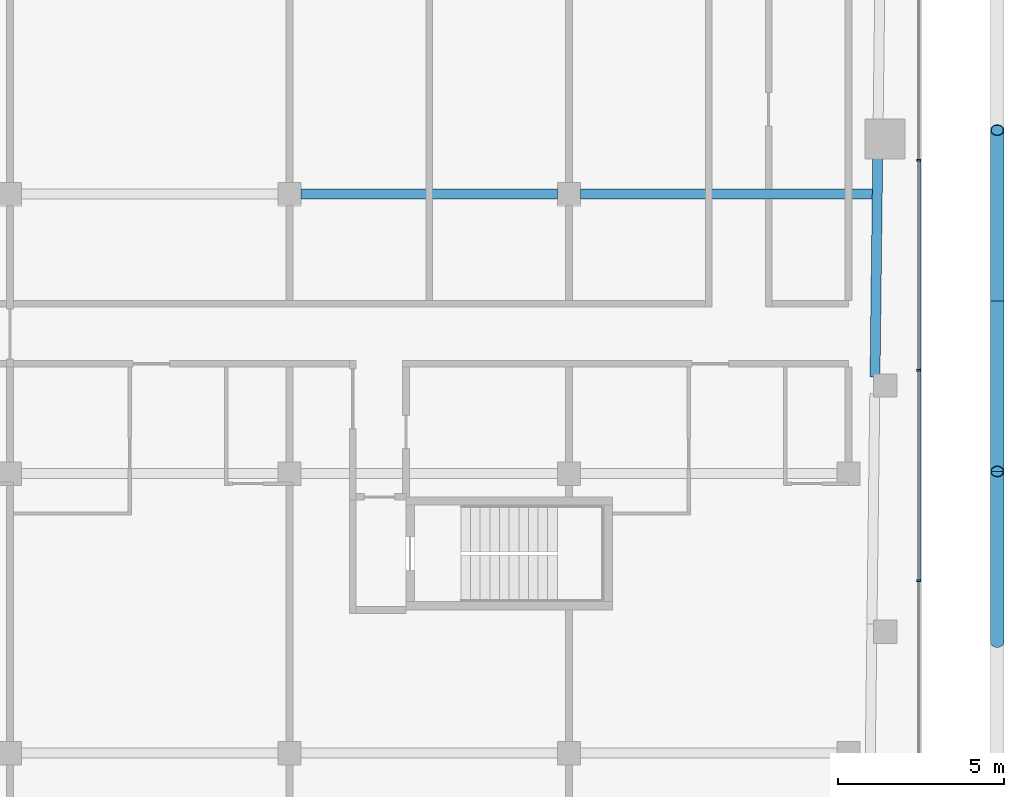
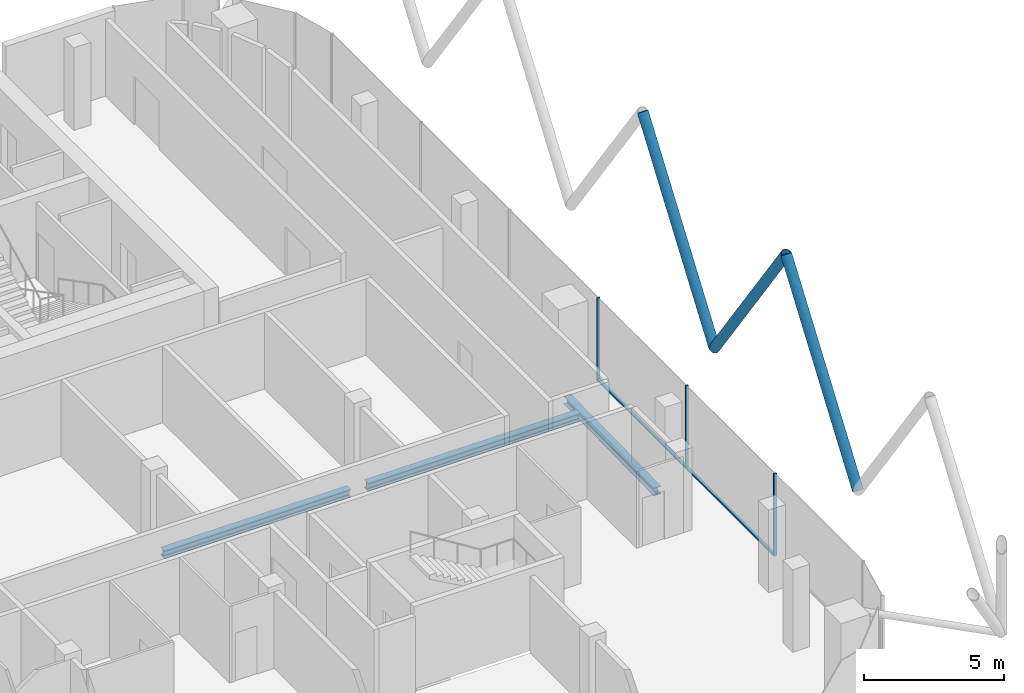
# One storey, part 7 of 27: 8 members, 3 beams, 1 element without a shape of its own.
"""IFC4 building model written with IfcOpenShell, lengths in metres."""

from ifc_helpers import new_model, si_unit, direction, frame, origin, origin_2d, place, context, subcontext, project, spatial, rectangle, hollow_circle, i_section, extrude, material, layer, layer_set, material_profile, profile_set, type_object, element, aggregate, save


model = new_model("IFC4")

# Units and contexts
model_context = context("Model", 3, precision=1e-05, world=origin(), true_north=direction((0.0, 1.0)))
body_context = subcontext(model_context, "Body", "Model", "MODEL_VIEW")
ifc_project = project(units=[si_unit("LENGTHUNIT", "METRE"), si_unit("AREAUNIT", "SQUARE_METRE"), si_unit("VOLUMEUNIT", "CUBIC_METRE"), si_unit("PLANEANGLEUNIT", "RADIAN"), si_unit("MASSUNIT", "GRAM", prefix="KILO")], contexts=[model_context])

# Site, building, storey
site_placement = place(None, origin())
site = spatial("IfcSite", under=ifc_project, at=site_placement, CompositionType="ELEMENT")
building_placement = place(site_placement, origin())
building = spatial("IfcBuilding", under=site, at=building_placement, Name="Marenta Gate Hotel Tower", CompositionType="ELEMENT")
storey_placement = place(building_placement, frame((0.0, 0.0, 270.5)))
storey = spatial("IfcBuildingStorey", under=building, at=storey_placement, Name="L62", CompositionType="ELEMENT", Elevation=270.5)

# Members
ifc_material_1 = material(Name="Steel S355J2W", Category="steel")
ifc_material_profile_1 = material_profile(ifc_material_1, hollow_circle(Radius=0.203125, WallThickness=0.02490234375, at=origin_2d()), Name="CHS 406.4x25")
ifc_profile_set_1 = profile_set([ifc_material_profile_1], Name="Steel S355J2W")
member_type_1 = type_object("IfcMemberType", Name="Diagrid diagonal Z4 CHS 406.4x25", PredefinedType="BRACE", material=ifc_profile_set_1)
for number, where, z_axis, x_axis, name in (
    (1, (25.469970703125, -11.60595703125, 3.139892578125), (0.0, 0.580218919795, 0.814460560808), (-1.0, 0.0, 0.0), "L62-DG-6"),
    (2, (25.469970703125, -11.60595703125, 3.139892578125), (0.0, -0.580218919795, 0.814460560808), (1.0, 0.0, 0.0), "L62-DG-7"),
    (3, (25.469970703125, -21.864501953125, 3.139892578125), (0.0, 0.580200600178, 0.81447361133), (-1.0, 0.0, 0.0), "L62-DG-8"),
):
    element("IfcMember", number, at=place(storey_placement, frame(where, z_axis=z_axis, x_axis=x_axis)), inside=storey, type_object=member_type_1, Name=name, PredefinedType="BRACE", context=body_context, shape_type="SweptSolid", body=[
        extrude(hollow_circle(Radius=0.203125, WallThickness=0.02490234375, at=origin_2d()), origin(), (0.0, 0.0, 1.0), 8.84033203125),
    ])

# Beams
ifc_material_2 = material(Name="Steel S355", Category="steel")
ifc_material_profile_2 = material_profile(ifc_material_2, i_section(OverallWidth=0.300048828125, OverallDepth=0.340087890625, WebThickness=0.011962890625, FlangeThickness=0.021484375, FilletRadius=0.027099609375, at=origin_2d()), Name="HEB 340")
ifc_profile_set_2 = profile_set([ifc_material_profile_2], Name="Steel S355")
beam_type_1 = type_object("IfcBeamType", Name="Edge beam HEB 340", PredefinedType="SPANDREL", material=ifc_profile_set_2)
beam_1_placement = place(storey_placement, frame((21.877197265625, -7.31005859375, -0.429931640625), z_axis=(-0.012334222436, -0.999923930585, 0.0), x_axis=(0.999923930585, -0.012334222436, 0.0)))
element("IfcBeam", 4, at=beam_1_placement, inside=storey, type_object=beam_type_1, Name="L62-EB-25", PredefinedType="SPANDREL", context=body_context, shape_type="SweptSolid", body=[
    extrude(i_section(OverallWidth=0.300048828125, OverallDepth=0.340087890625, WebThickness=0.011962890625, FlangeThickness=0.021484375, FilletRadius=0.027099609375, at=origin_2d()), origin(), (0.0, 0.0, 1.0), 6.59130859375),
])
ifc_material_3 = material(Name="Steel S355", Category="steel")
ifc_material_profile_3 = material_profile(ifc_material_3, i_section(OverallWidth=0.300048828125, OverallDepth=0.340087890625, WebThickness=0.011962890625, FlangeThickness=0.021484375, FilletRadius=0.027099609375, at=origin_2d()), Name="HEB 340")
ifc_profile_set_3 = profile_set([ifc_material_profile_3], Name="Steel S355")
beam_type_2 = type_object("IfcBeamType", Name="Girder HEB 340", PredefinedType="BEAM", material=ifc_profile_set_3)
beam_2_placement = place(storey_placement, frame((4.550048828125, -8.39990234375, -0.429931640625), z_axis=(1.0, 0.0, 0.0), x_axis=(0.0, 1.0, 0.0)))
element("IfcBeam", 5, at=beam_2_placement, inside=storey, type_object=beam_type_2, Name="L62-GD-14", PredefinedType="BEAM", context=body_context, shape_type="SweptSolid", body=[
    extrude(i_section(OverallWidth=0.300048828125, OverallDepth=0.340087890625, WebThickness=0.011962890625, FlangeThickness=0.021484375, FilletRadius=0.027099609375, at=origin_2d()), origin(), (0.0, 0.0, 1.0), 7.699951171875),
])
beam_3_placement = place(storey_placement, frame((12.949951171875, -8.39990234375, -0.429931640625), z_axis=(1.0, 0.0, 0.0), x_axis=(0.0, 1.0, 0.0)))
element("IfcBeam", 6, at=beam_3_placement, inside=storey, type_object=beam_type_2, Name="L62-GD-15", PredefinedType="BEAM", context=body_context, shape_type="SweptSolid", body=[
    extrude(i_section(OverallWidth=0.300048828125, OverallDepth=0.340087890625, WebThickness=0.011962890625, FlangeThickness=0.021484375, FilletRadius=0.027099609375, at=origin_2d()), origin(), (0.0, 0.0, 1.0), 8.763916015625),
])

# Curtain wall, members
ifc_material_4 = material(Name="Tinted insulated glass in bronze anodised frame", Category="glass")
ifc_layer = layer(ifc_material_4, 0.1201171875)
ifc_layer_set = layer_set([ifc_layer], Name="Tinted insulated glass in bronze anodised frame")
curtain_wall_type = type_object("IfcCurtainWallType", Name="Tower unitised curtain wall CW1", PredefinedType="NOTDEFINED", material=ifc_layer_set)
curtain_wall_placement = place(storey_placement, origin())
curtain_wall = element("IfcCurtainWall", 7, at=curtain_wall_placement, inside=storey, type_object=curtain_wall_type, Name="CW1 run G17", PredefinedType="NOTDEFINED")
ifc_material_5 = material(Name="Bronze anodised aluminium", Category="aluminium")
ifc_material_profile_4 = material_profile(ifc_material_5, rectangle(XDim=0.1201171875, YDim=0.06005859375, at=origin_2d()), Name="Mullion CW1 60x120 bronze anodised aluminium")
ifc_profile_set_4 = profile_set([ifc_material_profile_4], Name="Bronze anodised aluminium")
member_type_2 = type_object("IfcMemberType", Name="Mullion CW1 60x120 bronze anodised aluminium", PredefinedType="MULLION", material=ifc_profile_set_4)
member_1_placement = place(storey_placement, frame((23.114013671875, -20.021240234375, 0.0), z_axis=(0.0, 0.0, 1.0), x_axis=(-1.0, 0.0, 0.0)))
member_1 = element("IfcMember", 8, at=member_1_placement, type_object=member_type_2, Name="CW1 mullion 2", PredefinedType="MULLION", context=body_context, shape_type="SweptSolid", body=[
    extrude(rectangle(XDim=0.1201171875, YDim=0.06005859375, at=origin_2d()), origin(), (0.0, 0.0, 1.0), 3.60009765625),
])
member_2_placement = place(storey_placement, frame((23.114013671875, -13.69873046875, 0.0), z_axis=(0.0, 0.0, 1.0), x_axis=(-1.0, 0.0, 0.0)))
member_2 = element("IfcMember", 9, at=member_2_placement, type_object=member_type_2, Name="CW1 mullion 3", PredefinedType="MULLION", context=body_context, shape_type="SweptSolid", body=[
    extrude(rectangle(XDim=0.1201171875, YDim=0.06005859375, at=origin_2d()), origin(), (0.0, 0.0, 1.0), 3.60009765625),
])
member_3_placement = place(storey_placement, frame((23.114013671875, -7.3759765625, 0.0), z_axis=(0.0, 0.0, 1.0), x_axis=(-1.0, 0.0, 0.0)))
member_3 = element("IfcMember", 10, at=member_3_placement, type_object=member_type_2, Name="CW1 mullion 4", PredefinedType="MULLION", context=body_context, shape_type="SweptSolid", body=[
    extrude(rectangle(XDim=0.1201171875, YDim=0.06005859375, at=origin_2d()), origin(), (0.0, 0.0, 1.0), 3.60009765625),
])
ifc_material_6 = material(Name="Bronze anodised aluminium", Category="aluminium")
ifc_material_profile_5 = material_profile(ifc_material_6, rectangle(XDim=0.1201171875, YDim=0.06005859375, at=origin_2d()), Name="Transom CW1 60x120 bronze anodised aluminium")
ifc_profile_set_5 = profile_set([ifc_material_profile_5], Name="Bronze anodised aluminium")
member_type_3 = type_object("IfcMemberType", Name="Transom CW1 60x120 bronze anodised aluminium", PredefinedType="USERDEFINED", material=ifc_profile_set_5)
member_4_placement = place(storey_placement, frame((23.114013671875, -19.9912109375, 0.030029296875), z_axis=(0.0, 1.0, 0.0), x_axis=(-1.0, 0.0, 0.0)))
member_4 = element("IfcMember", 11, at=member_4_placement, type_object=member_type_3, Name="CW1 transom 2.1", ObjectType="TRANSOM", PredefinedType="USERDEFINED", context=body_context, shape_type="SweptSolid", body=[
    extrude(rectangle(XDim=0.1201171875, YDim=0.06005859375, at=origin_2d()), origin(), (0.0, 0.0, 1.0), 6.2626953125),
])
member_5_placement = place(storey_placement, frame((23.114013671875, -13.668701171875, 0.030029296875), z_axis=(0.0, 1.0, 0.0), x_axis=(-1.0, 0.0, 0.0)))
member_5 = element("IfcMember", 12, at=member_5_placement, type_object=member_type_3, Name="CW1 transom 3.1", ObjectType="TRANSOM", PredefinedType="USERDEFINED", context=body_context, shape_type="SweptSolid", body=[
    extrude(rectangle(XDim=0.1201171875, YDim=0.06005859375, at=origin_2d()), origin(), (0.0, 0.0, 1.0), 6.2626953125),
])
aggregate(curtain_wall, [member_1, member_2, member_3, member_4, member_5])

save(model, "model.ifc")
